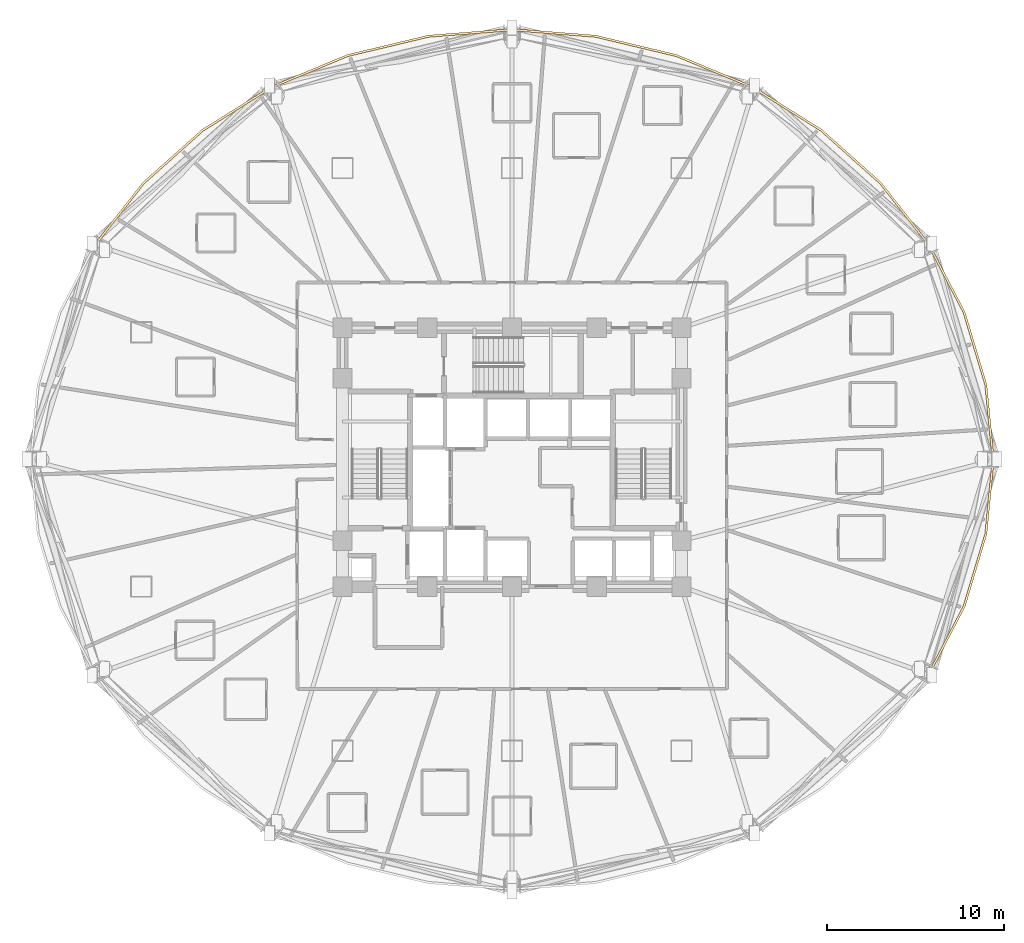
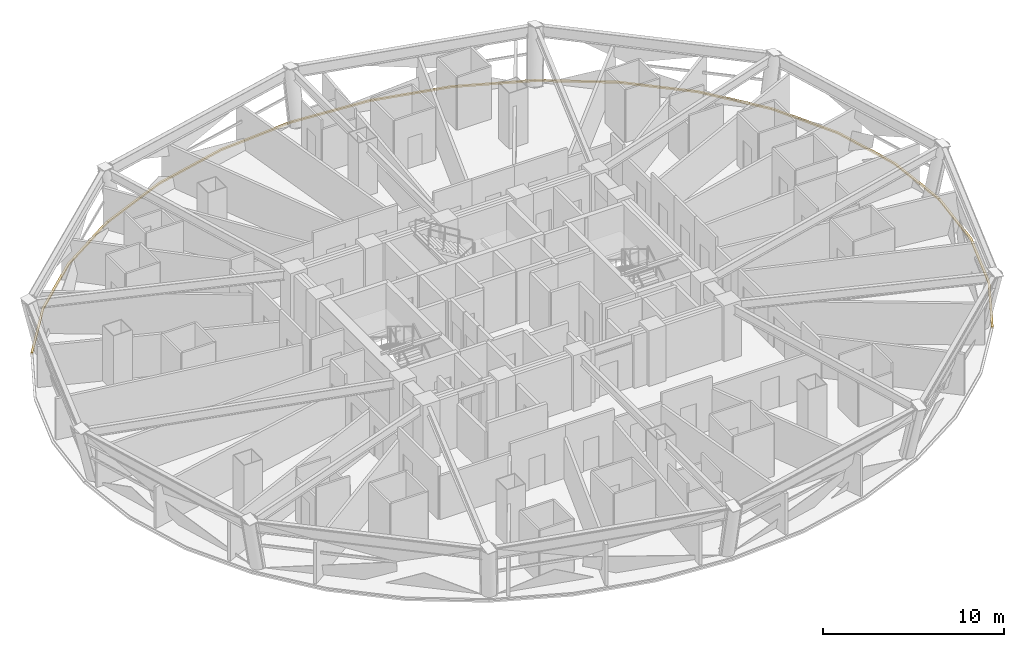
# One storey, part 13 of 13: 6 coverings.
"""IFC4 building model written with IfcOpenShell, lengths in metres."""

from ifc_helpers import new_model, si_unit, direction, frame, origin, place, context, subcontext, project, spatial, polyline, outline, extrude, material, layer, layer_set, type_object, element, save


model = new_model("IFC4")

# Units and contexts
model_context = context("Model", 3, precision=1e-05, world=origin(), true_north=direction((0.0, 1.0)))
body_context = subcontext(model_context, "Body", "Model", "MODEL_VIEW")
ifc_project = project(units=[si_unit("LENGTHUNIT", "METRE"), si_unit("AREAUNIT", "SQUARE_METRE"), si_unit("VOLUMEUNIT", "CUBIC_METRE"), si_unit("PLANEANGLEUNIT", "RADIAN"), si_unit("MASSUNIT", "GRAM", prefix="KILO")], contexts=[model_context])

# Site, building, storey
site_placement = place(None, origin())
site = spatial("IfcSite", under=ifc_project, at=site_placement, CompositionType="ELEMENT")
building_placement = place(site_placement, origin())
building = spatial("IfcBuilding", under=site, at=building_placement, Name="Vantalir Tower", CompositionType="ELEMENT")
storey_placement = place(building_placement, frame((0.0, 0.0, 53.25)))
storey = spatial("IfcBuildingStorey", under=building, at=storey_placement, Name="L12", CompositionType="ELEMENT", Elevation=53.25)

# Coverings
ifc_material = material(Name="Anodised champagne aluminium sill fascia", Category="aluminium")
ifc_layer = layer(ifc_material, 0.125)
ifc_layer_set = layer_set([ifc_layer], Name="Anodised champagne aluminium sill fascia")
covering_type = type_object("IfcCoveringType", Name="COV-SLAB-FASCIA-125", PredefinedType="CLADDING", material=ifc_layer_set)
covering_1_placement = place(storey_placement, frame((0.0, 0.0, -0.179931640625)))
element("IfcCovering", 1, at=covering_1_placement, inside=storey, type_object=covering_type, Name="L12 Perimeter Slab-Edge Sill Fascia 01", PredefinedType="CLADDING", context=body_context, shape_type="SweptSolid", body=[
    extrude(outline(polyline([(58.81396484375, 25.0), (58.39892578125, 29.237060546875), (57.1669921875, 33.345947265625), (55.155029296875, 37.199951171875), (55.0458984375, 37.137939453125), (57.049072265625, 33.302978515625), (58.27587890625, 29.215087890625), (58.68896484375, 25.0), (58.81396484375, 25.0)])), origin(), (0.0, 0.0, 1.0), 0.10498046875),
])
covering_2_placement = place(storey_placement, frame((0.0, 0.0, -0.179931640625)))
element("IfcCovering", 2, at=covering_2_placement, inside=storey, type_object=covering_type, Name="L12 Perimeter Slab-Edge Sill Fascia 02", PredefinedType="CLADDING", context=body_context, shape_type="SweptSolid", body=[
    extrude(outline(polyline([(55.155029296875, 37.199951171875), (52.424072265625, 40.68505859375), (49.056884765625, 43.69189453125), (45.156982421875, 46.132080078125), (45.094970703125, 46.02392578125), (48.97705078125, 43.595947265625), (52.327880859375, 40.60400390625), (55.0458984375, 37.137939453125), (55.155029296875, 37.199951171875)])), origin(), (0.0, 0.0, 1.0), 0.10498046875),
])
covering_3_placement = place(storey_placement, frame((0.0, 0.0, -0.179931640625)))
element("IfcCovering", 3, at=covering_3_placement, inside=storey, type_object=covering_type, Name="L12 Perimeter Slab-Edge Sill Fascia 03", PredefinedType="CLADDING", context=body_context, shape_type="SweptSolid", body=[
    extrude(outline(polyline([(45.156982421875, 46.132080078125), (40.842041015625, 47.928955078125), (36.242919921875, 49.030029296875), (31.5, 49.40087890625), (31.5, 49.27587890625), (36.220947265625, 48.906982421875), (40.799072265625, 47.81201171875), (45.094970703125, 46.02392578125), (45.156982421875, 46.132080078125)])), origin(), (0.0, 0.0, 1.0), 0.10498046875),
])
covering_4_placement = place(storey_placement, frame((0.0, 0.0, -0.179931640625)))
element("IfcCovering", 4, at=covering_4_placement, inside=storey, type_object=covering_type, Name="L12 Perimeter Slab-Edge Sill Fascia 04", PredefinedType="CLADDING", context=body_context, shape_type="SweptSolid", body=[
    extrude(outline(polyline([(31.5, 49.40087890625), (26.757080078125, 49.030029296875), (22.157958984375, 47.928955078125), (17.843017578125, 46.132080078125), (17.906005859375, 46.02392578125), (22.200927734375, 47.81201171875), (26.779052734375, 48.906982421875), (31.5, 49.27587890625), (31.5, 49.40087890625)])), origin(), (0.0, 0.0, 1.0), 0.10498046875),
])
covering_5_placement = place(storey_placement, frame((0.0, 0.0, -0.179931640625)))
element("IfcCovering", 5, at=covering_5_placement, inside=storey, type_object=covering_type, Name="L12 Perimeter Slab-Edge Sill Fascia 05", PredefinedType="CLADDING", context=body_context, shape_type="SweptSolid", body=[
    extrude(outline(polyline([(17.843017578125, 46.132080078125), (13.943115234375, 43.69189453125), (10.575927734375, 40.68505859375), (7.844970703125, 37.199951171875), (7.9541015625, 37.137939453125), (10.672119140625, 40.60400390625), (14.02294921875, 43.595947265625), (17.906005859375, 46.02392578125), (17.843017578125, 46.132080078125)])), origin(), (0.0, 0.0, 1.0), 0.10498046875),
])
covering_6_placement = place(storey_placement, frame((0.0, 0.0, -0.179931640625)))
element("IfcCovering", 6, at=covering_6_placement, inside=storey, type_object=covering_type, Name="L12 Perimeter Slab-Edge Sill Fascia 12", PredefinedType="CLADDING", context=body_context, shape_type="SweptSolid", body=[
    extrude(outline(polyline([(55.155029296875, 12.799072265625), (57.1669921875, 16.654052734375), (58.39892578125, 20.762939453125), (58.81396484375, 25.0), (58.68896484375, 25.0), (58.27587890625, 20.784912109375), (57.049072265625, 16.697021484375), (55.0458984375, 12.862060546875), (55.155029296875, 12.799072265625)])), origin(), (0.0, 0.0, 1.0), 0.10498046875),
])

save(model, "model.ifc")
